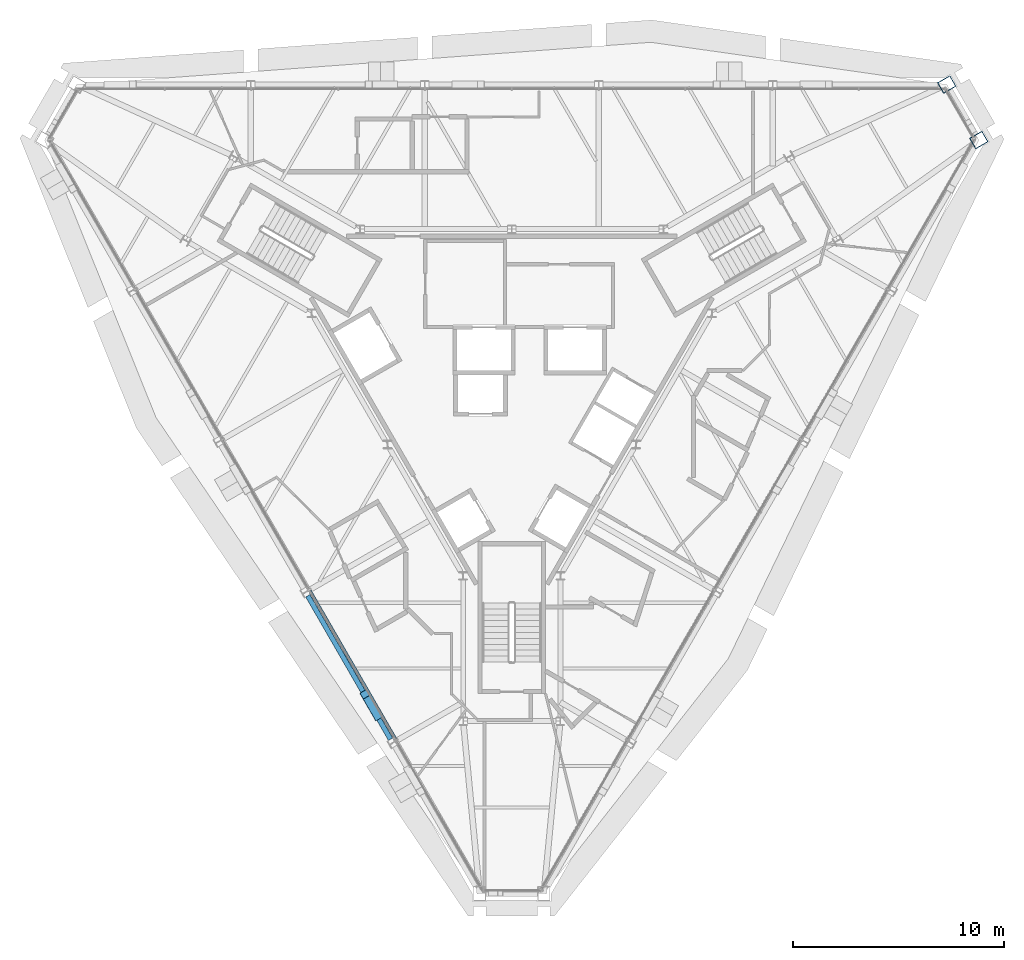
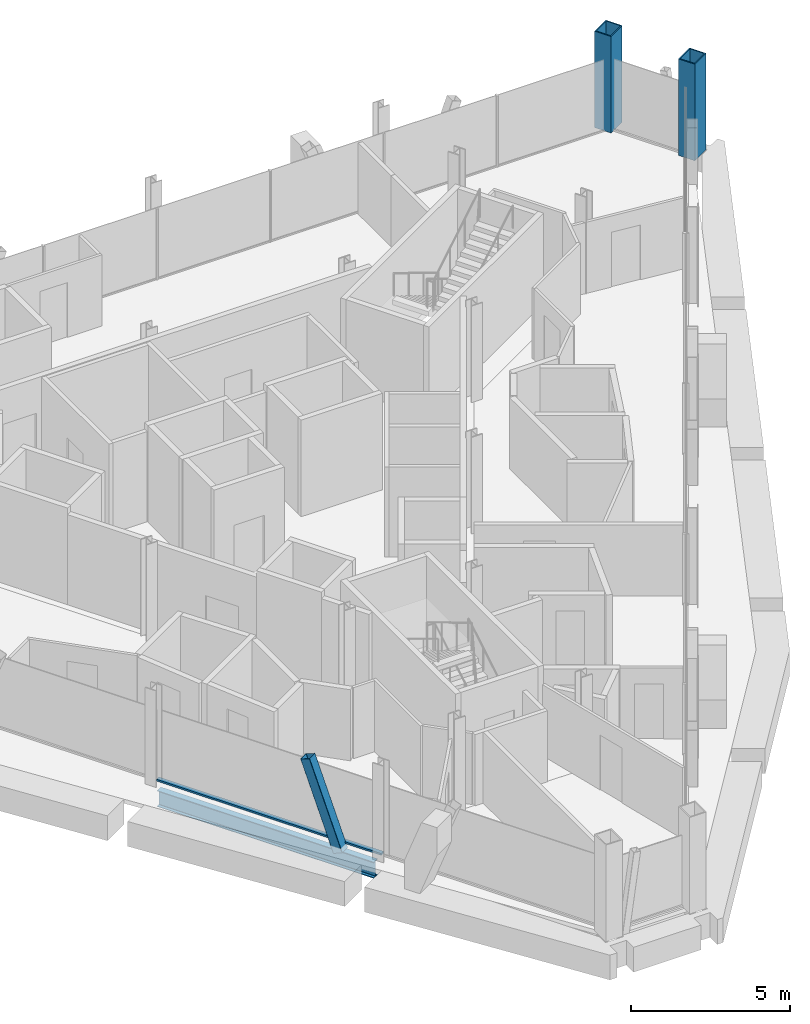
# One storey, part 2 of 11: 2 columns, 2 members, 1 beam, 1 element without a shape of its own.
"""IFC4 building model written with IfcOpenShell, lengths in metres."""

import ifcopenshell
import ifcopenshell.guid

model = None  # the IFC model being written
_history = None  # IfcOwnerHistory: only IFC2X3 demands one
_inside = {}  # id of a spatial element -> (the spatial element, [elements in it])
_under = {}  # id of a project, library or spatial element -> (it, [spatial elements below it])
_declared = {}  # id of a project -> (the project, [libraries it declares])
_typed = {}  # id of a type object -> (the type object, [elements of that type])
_made_of = {}  # id of a material, layer set ... -> (it, [elements and type objects made of it])


def new_model(schema):
    """Start an empty IFC model of exactly this schema.

    Asked for "IFC4X3", IfcOpenShell would pick the latest addendum, in which some entities
    have other attributes; the version numbers below select the first issue.
    IFC2X3 requires an IfcOwnerHistory on every rooted entity: one is made here for all.
    """
    global model, _history
    if schema == "IFC4X3":
        model = ifcopenshell.file(schema_version=(4, 3, 0, 0))
    else:
        model = ifcopenshell.file(schema=schema)
    _inside.clear()
    _under.clear()
    _declared.clear()
    _typed.clear()
    _made_of.clear()
    _history = None
    if model.schema == "IFC2X3":
        org = make("IfcOrganization", Name="unknown")
        user = make(
            "IfcPersonAndOrganization",
            ThePerson=make("IfcPerson", FamilyName="unknown"),
            TheOrganization=org,
        )
        app = make(
            "IfcApplication",
            ApplicationDeveloper=org,
            Version="unknown",
            ApplicationFullName="unknown",
            ApplicationIdentifier="unknown",
        )
        _history = make(
            "IfcOwnerHistory",
            OwningUser=user,
            OwningApplication=app,
            ChangeAction="ADDED",
            CreationDate=0,
        )
    return model


def make(cls, **values):
    """One entity of the class cls with the attributes given. An attribute that is None is left unset."""
    return model.create_entity(
        cls, **{name: value for name, value in values.items() if value is not None}
    )


def rooted(cls, **values):
    """An entity with a GlobalId (a new one), such as an element, a storey or a relation."""
    return make(cls, GlobalId=ifcopenshell.guid.new(), OwnerHistory=_history, **values)


def si_unit(unit_type, name, prefix=None):
    """IfcSIUnit, for example si_unit("LENGTHUNIT", "METRE", prefix="MILLI")."""
    return make("IfcSIUnit", UnitType=unit_type, Prefix=prefix, Name=name)


def assignment(units):
    """IfcUnitAssignment: the units of a project."""
    return None if units is None else make("IfcUnitAssignment", Units=units)


def point(xyz):
    """IfcCartesianPoint."""
    return None if xyz is None else make("IfcCartesianPoint", Coordinates=xyz)


def direction(xyz):
    """IfcDirection."""
    return None if xyz is None else make("IfcDirection", DirectionRatios=xyz)


def frame(location, z_axis=None, x_axis=None):
    """IfcAxis2Placement3D, a coordinate frame: its origin and axes. An axis left out is left unset."""
    return make(
        "IfcAxis2Placement3D",
        Location=point(location),
        Axis=direction(z_axis),
        RefDirection=direction(x_axis),
    )


def frame_2d(location, x_axis=None):
    """IfcAxis2Placement2D, a coordinate frame in the plane: its origin and x axis."""
    return make(
        "IfcAxis2Placement2D", Location=point(location), RefDirection=direction(x_axis)
    )


def origin():
    """The frame at (0, 0, 0) with its axes left unset."""
    return frame((0.0, 0.0, 0.0))


def origin_2d():
    """The frame at (0, 0) in the plane with its x axis left unset."""
    return frame_2d((0.0, 0.0))


def place(relative_to, where):
    """IfcLocalPlacement: puts the frame where relative to a parent placement (None: the world)."""
    return make(
        "IfcLocalPlacement", PlacementRelTo=relative_to, RelativePlacement=where
    )


def context(
    kind, dimensions, precision=None, world=None, true_north=None, identifier=None
):
    """IfcGeometricRepresentationContext, for example the 3D "Model" context."""
    return make(
        "IfcGeometricRepresentationContext",
        ContextIdentifier=identifier,
        ContextType=kind,
        CoordinateSpaceDimension=dimensions,
        Precision=precision,
        WorldCoordinateSystem=world,
        TrueNorth=true_north,
    )


def subcontext(parent, identifier, kind, view, scale=None):
    """IfcGeometricRepresentationSubContext, for example "Body" below "Model"."""
    return make(
        "IfcGeometricRepresentationSubContext",
        ContextIdentifier=identifier,
        ContextType=kind,
        ParentContext=parent,
        TargetScale=scale,
        TargetView=view,
    )


def project(units=None, contexts=None):
    """IfcProject with its units and contexts."""
    return rooted(
        "IfcProject",
        Name="project",
        RepresentationContexts=contexts,
        UnitsInContext=assignment(units),
    )


def spatial(cls, under=None, at=None, **own):
    """A site, building, storey or space (cls), placed at a placement, below another one or the project."""
    s = rooted(cls, ObjectPlacement=at, **own)
    if under is not None:
        _under.setdefault(under.id(), (under, []))[1].append(s)
    return s


def profile(cls, at=None, kind="AREA", **sizes):
    """A parametric profile (cls). Its sizes go by their IFC names, for example OverallWidth=200.0."""
    return make(cls, ProfileType=kind, Position=at, **sizes)


def rectangle(**sizes):
    """IfcRectangleProfileDef."""
    return profile("IfcRectangleProfileDef", **sizes)


def hollow_rectangle(**sizes):
    """IfcRectangleHollowProfileDef."""
    return profile("IfcRectangleHollowProfileDef", **sizes)


def i_section(**sizes):
    """IfcIShapeProfileDef."""
    return profile("IfcIShapeProfileDef", **sizes)


def extrude(swept, where, along, depth):
    """IfcExtrudedAreaSolid: the profile swept, set in the frame where, extruded along a direction by depth."""
    return make(
        "IfcExtrudedAreaSolid",
        SweptArea=swept,
        Position=where,
        ExtrudedDirection=direction(along),
        Depth=depth,
    )


def shape(context_of_items, identifier, shape_type, items):
    """IfcShapeRepresentation: the items that make up one representation, for example the "Body"."""
    return make(
        "IfcShapeRepresentation",
        ContextOfItems=context_of_items,
        RepresentationIdentifier=identifier,
        RepresentationType=shape_type,
        Items=items,
    )


def material(Name=None, Category=None):
    """IfcMaterial."""
    return make("IfcMaterial", Name=Name, Category=Category)


def material_profile(
    of_material, cross_section, Name=None, Category=None, Priority=None
):
    """IfcMaterialProfile: a cross section and its material."""
    return make(
        "IfcMaterialProfile",
        Name=Name,
        Material=of_material,
        Profile=cross_section,
        Priority=Priority,
        Category=Category,
    )


def profile_set(profiles, Name=None, composite=None):
    """IfcMaterialProfileSet."""
    return make(
        "IfcMaterialProfileSet",
        Name=Name,
        MaterialProfiles=profiles,
        CompositeProfile=composite,
    )


def made_of(thing, what):
    """Note that an element or type object is made of a material, layer set ...; save() writes the relation."""
    if what is not None:
        _made_of.setdefault(what.id(), (what, []))[1].append(thing)
    return thing


def type_object(cls, material=None, **own):
    """A type object (cls), such as IfcWallType, which elements share."""
    return made_of(rooted(cls, **own), material)


def element(
    cls,
    number,
    at=None,
    inside=None,
    cuts=None,
    type_object=None,
    material=None,
    context=None,
    identifier="Body",
    shape_type=None,
    held_by="IfcProductDefinitionShape",
    body=None,
    shapes=None,
    **own,
):
    """One element of the class cls, such as IfcWall. Its Tag is "e" and its number.

    at: its placement. inside: the storey or other place that contains it. cuts: it is an
    opening in that element (IfcRelVoidsElement). A single representation is given by context,
    identifier, shape_type and body (its items); several are given by shapes. held_by: the class
    of the entity that holds the representations. save() writes the other relations.
    """
    e = rooted(cls, Tag="e%d" % number, ObjectPlacement=at, **own)
    if body is not None:
        shapes = [shape(context, identifier, shape_type, body)]
    if shapes is not None:
        e.Representation = make(held_by, Representations=shapes)
    if inside is not None:
        _inside.setdefault(inside.id(), (inside, []))[1].append(e)
    if cuts is not None:
        rooted(
            "IfcRelVoidsElement", RelatingBuildingElement=cuts, RelatedOpeningElement=e
        )
    if type_object is not None:
        _typed.setdefault(type_object.id(), (type_object, []))[1].append(e)
    return made_of(e, material)


def aggregate(whole, parts):
    """IfcRelAggregates: a whole, such as a stair, and the parts it consists of."""
    return rooted("IfcRelAggregates", RelatingObject=whole, RelatedObjects=parts)


def save(model, path):
    """Write the relations noted so far, then the file.

    IfcRelAggregates (storeys below a building ...), IfcRelContainedInSpatialStructure (elements
    in a storey), IfcRelDefinesByType, IfcRelAssociatesMaterial and IfcRelDeclares: one each for
    every whole, place, type object, material and project.
    """
    for whole, parts in _under.values():
        aggregate(whole, parts)
    for where, things in _inside.values():
        rooted(
            "IfcRelContainedInSpatialStructure",
            RelatedElements=things,
            RelatingStructure=where,
        )
    for kind, things in _typed.values():
        rooted("IfcRelDefinesByType", RelatedObjects=things, RelatingType=kind)
    for what, things in _made_of.values():
        rooted("IfcRelAssociatesMaterial", RelatedObjects=things, RelatingMaterial=what)
    for by, libraries in _declared.values():
        rooted("IfcRelDeclares", RelatingContext=by, RelatedDefinitions=libraries)
    model.write(path)


model = new_model("IFC4")

# Units and contexts
model_context = context("Model", 3, precision=1e-05, world=origin(), true_north=direction((0.0, 1.0)))
body_context = subcontext(model_context, "Body", "Model", "MODEL_VIEW")
ifc_project = project(units=[si_unit("LENGTHUNIT", "METRE"), si_unit("AREAUNIT", "SQUARE_METRE"), si_unit("VOLUMEUNIT", "CUBIC_METRE"), si_unit("PLANEANGLEUNIT", "RADIAN"), si_unit("MASSUNIT", "GRAM", prefix="KILO")], contexts=[model_context])

# Site, building, storey
site_placement = place(None, origin())
site = spatial("IfcSite", under=ifc_project, at=site_placement, CompositionType="ELEMENT")
building_placement = place(site_placement, origin())
building = spatial("IfcBuilding", under=site, at=building_placement, Name="Verrane Prism Tower", CompositionType="ELEMENT")
storey_placement = place(building_placement, frame((0.0, 0.0, 267.699951171875)))
storey = spatial("IfcBuildingStorey", under=building, at=storey_placement, Name="L67", CompositionType="ELEMENT", Elevation=267.699951171875)

# Columns
ifc_material_1 = material(Name="Steel A572 Grade 50", Category="steel")
ifc_material_profile_1 = material_profile(ifc_material_1, hollow_rectangle(XDim=0.60009765625, YDim=0.699951171875, WallThickness=0.0400390625, at=origin_2d()), Name="BOX 700x600x40")
ifc_profile_set_1 = profile_set([ifc_material_profile_1], Name="Steel A572 Grade 50")
column_type = type_object("IfcColumnType", Name="Megacolumn BOX 700x600x40", PredefinedType="COLUMN", material=ifc_profile_set_1)
for number, where, z_axis, x_axis, name in (
    (1, (20.60009765625, 13.64990234375, 0.0), (0.0, 0.0, 1.0), (0.5, -0.866025403784, 0.0), "Megacolumn MC-NE.b L67"),
    (2, (22.1201171875, 11.02001953125, 0.0), (0.0, 0.0, 1.0), (0.5, -0.866025403784, 0.0), "Megacolumn MC-NE.a L67"),
):
    element("IfcColumn", number, at=place(storey_placement, frame(where, z_axis=z_axis, x_axis=x_axis)), inside=storey, type_object=column_type, Name=name, PredefinedType="COLUMN", context=body_context, shape_type="SweptSolid", body=[
        extrude(hollow_rectangle(XDim=0.60009765625, YDim=0.699951171875, WallThickness=0.0400390625, at=origin_2d()), origin(), (0.0, 0.0, 1.0), 3.699951171875),
    ])

# Member
ifc_material_2 = material(Name="Steel A500 Grade C", Category="steel")
ifc_material_profile_2 = material_profile(ifc_material_2, hollow_rectangle(XDim=0.355712890625, YDim=0.355712890625, WallThickness=0.0126953125, InnerFilletRadius=0.00634765625, OuterFilletRadius=0.01904296875, at=origin_2d()), Name="HSS14x14x1/2")
ifc_profile_set_2 = profile_set([ifc_material_profile_2], Name="Steel A500 Grade C")
member_type_1 = type_object("IfcMemberType", Name="Facade brace HSS14x14x1/2", PredefinedType="BRACE", material=ifc_profile_set_2)
member_1_placement = place(storey_placement, frame((-6.373291015625, -16.259033203125, -0.216552734375), z_axis=(-0.174010693257, 0.30154692564, 0.937437854084), x_axis=(-0.86613421761, -0.499811481546, 0.0)))
element("IfcMember", 3, at=member_1_placement, inside=storey, type_object=member_type_1, Name="Facade brace SW3 L67", PredefinedType="BRACE", context=body_context, shape_type="SweptSolid", body=[
    extrude(hollow_rectangle(XDim=0.355712890625, YDim=0.355712890625, WallThickness=0.0126953125, InnerFilletRadius=0.00634765625, OuterFilletRadius=0.01904296875, at=origin_2d()), origin(), (0.0, 0.0, 1.0), 3.409423828125),
])

# Beam
ifc_material_3 = material(Name="Steel A992", Category="steel")
ifc_material_profile_3 = material_profile(ifc_material_3, i_section(OverallWidth=0.23046875, OverallDepth=0.6171875, WebThickness=0.01318359375, FlangeThickness=0.022216796875, FilletRadius=0.012939453125, at=origin_2d()), Name="W24x94")
ifc_profile_set_3 = profile_set([ifc_material_profile_3], Name="Steel A992")
beam_type = type_object("IfcBeamType", Name="Spandrel beam W24x94", PredefinedType="SPANDREL", material=ifc_profile_set_3)
beam_placement = place(storey_placement, frame((-9.66162109375, -10.560546875, -0.468505859375), z_axis=(0.499798737888, -0.866141571341, 0.0), x_axis=(0.866141571341, 0.499798737888, 0.0)))
element("IfcBeam", 4, at=beam_placement, inside=storey, type_object=beam_type, Name="Spandrel beam L67", PredefinedType="SPANDREL", context=body_context, shape_type="SweptSolid", body=[
    extrude(i_section(OverallWidth=0.23046875, OverallDepth=0.6171875, WebThickness=0.01318359375, FlangeThickness=0.022216796875, FilletRadius=0.012939453125, at=origin_2d()), origin(), (0.0, 0.0, 1.0), 7.849853515625),
])

# Curtain wall, member
ifc_material_4 = material(Name="Aluminium framed insulated glazing", Category="aluminium")
curtain_wall_type = type_object("IfcCurtainWallType", Name="Curtain wall CW-A 8400 module", PredefinedType="NOTDEFINED", material=ifc_material_4)
curtain_wall_placement = place(storey_placement, origin())
curtain_wall = element("IfcCurtainWall", 5, at=curtain_wall_placement, inside=storey, type_object=curtain_wall_type, Name="Glazed curtain wall south-west face L67", PredefinedType="NOTDEFINED")
ifc_material_5 = material(Name="Aluminium alloy 6063-T6", Category="aluminium")
ifc_material_profile_4 = material_profile(ifc_material_5, rectangle(XDim=0.14990234375, YDim=0.070068359375, at=origin_2d()), Name="Transom 70x150 aluminium")
ifc_profile_set_4 = profile_set([ifc_material_profile_4], Name="Aluminium alloy 6063-T6")
member_type_2 = type_object("IfcMemberType", Name="Transom 70x150 aluminium", PredefinedType="USERDEFINED", material=ifc_profile_set_4)
member_2_placement = place(storey_placement, frame((-9.573486328125, -10.3125, 0.03515625), z_axis=(0.499993044538, -0.866029419485, 0.0), x_axis=(0.866029419485, 0.499993044538, 0.0)))
member_2 = element("IfcMember", 6, at=member_2_placement, type_object=member_type_2, Name="CW66.4 transom 4", ObjectType="TRANSOM", PredefinedType="USERDEFINED", context=body_context, shape_type="SweptSolid", body=[
    extrude(rectangle(XDim=0.14990234375, YDim=0.070068359375, at=origin_2d()), origin(), (0.0, 0.0, 1.0), 8.1484375),
])
aggregate(curtain_wall, [member_2])

save(model, "model.ifc")
